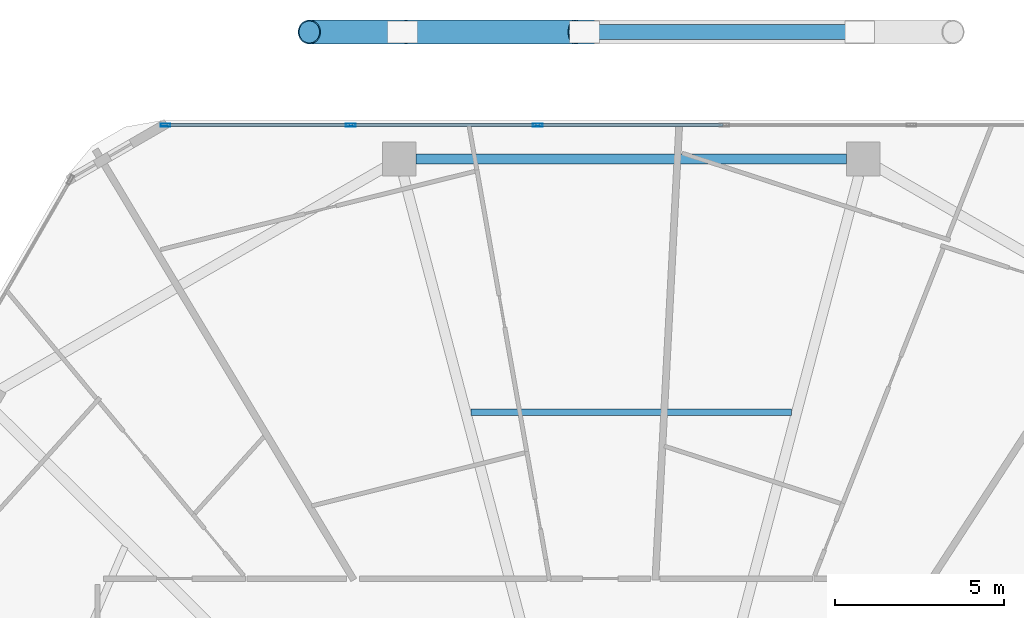
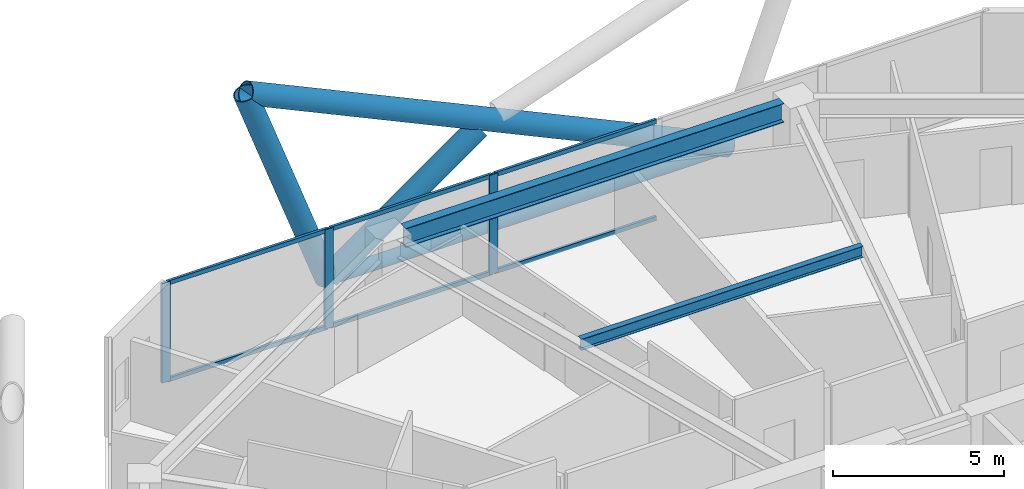
# One storey, part 14 of 28: 13 members, 2 beams, 1 element without a shape of its own.
"""IFC4 building model written with IfcOpenShell, lengths in metres."""

import ifcopenshell
import ifcopenshell.guid

model = None  # the IFC model being written
_history = None  # IfcOwnerHistory: only IFC2X3 demands one
_inside = {}  # id of a spatial element -> (the spatial element, [elements in it])
_under = {}  # id of a project, library or spatial element -> (it, [spatial elements below it])
_declared = {}  # id of a project -> (the project, [libraries it declares])
_typed = {}  # id of a type object -> (the type object, [elements of that type])
_made_of = {}  # id of a material, layer set ... -> (it, [elements and type objects made of it])


def new_model(schema):
    """Start an empty IFC model of exactly this schema.

    Asked for "IFC4X3", IfcOpenShell would pick the latest addendum, in which some entities
    have other attributes; the version numbers below select the first issue.
    IFC2X3 requires an IfcOwnerHistory on every rooted entity: one is made here for all.
    """
    global model, _history
    if schema == "IFC4X3":
        model = ifcopenshell.file(schema_version=(4, 3, 0, 0))
    else:
        model = ifcopenshell.file(schema=schema)
    _inside.clear()
    _under.clear()
    _declared.clear()
    _typed.clear()
    _made_of.clear()
    _history = None
    if model.schema == "IFC2X3":
        org = make("IfcOrganization", Name="unknown")
        user = make(
            "IfcPersonAndOrganization",
            ThePerson=make("IfcPerson", FamilyName="unknown"),
            TheOrganization=org,
        )
        app = make(
            "IfcApplication",
            ApplicationDeveloper=org,
            Version="unknown",
            ApplicationFullName="unknown",
            ApplicationIdentifier="unknown",
        )
        _history = make(
            "IfcOwnerHistory",
            OwningUser=user,
            OwningApplication=app,
            ChangeAction="ADDED",
            CreationDate=0,
        )
    return model


def make(cls, **values):
    """One entity of the class cls with the attributes given. An attribute that is None is left unset."""
    return model.create_entity(
        cls, **{name: value for name, value in values.items() if value is not None}
    )


def rooted(cls, **values):
    """An entity with a GlobalId (a new one), such as an element, a storey or a relation."""
    return make(cls, GlobalId=ifcopenshell.guid.new(), OwnerHistory=_history, **values)


def si_unit(unit_type, name, prefix=None):
    """IfcSIUnit, for example si_unit("LENGTHUNIT", "METRE", prefix="MILLI")."""
    return make("IfcSIUnit", UnitType=unit_type, Prefix=prefix, Name=name)


def assignment(units):
    """IfcUnitAssignment: the units of a project."""
    return None if units is None else make("IfcUnitAssignment", Units=units)


def point(xyz):
    """IfcCartesianPoint."""
    return None if xyz is None else make("IfcCartesianPoint", Coordinates=xyz)


def direction(xyz):
    """IfcDirection."""
    return None if xyz is None else make("IfcDirection", DirectionRatios=xyz)


def frame(location, z_axis=None, x_axis=None):
    """IfcAxis2Placement3D, a coordinate frame: its origin and axes. An axis left out is left unset."""
    return make(
        "IfcAxis2Placement3D",
        Location=point(location),
        Axis=direction(z_axis),
        RefDirection=direction(x_axis),
    )


def frame_2d(location, x_axis=None):
    """IfcAxis2Placement2D, a coordinate frame in the plane: its origin and x axis."""
    return make(
        "IfcAxis2Placement2D", Location=point(location), RefDirection=direction(x_axis)
    )


def origin():
    """The frame at (0, 0, 0) with its axes left unset."""
    return frame((0.0, 0.0, 0.0))


def origin_2d():
    """The frame at (0, 0) in the plane with its x axis left unset."""
    return frame_2d((0.0, 0.0))


def place(relative_to, where):
    """IfcLocalPlacement: puts the frame where relative to a parent placement (None: the world)."""
    return make(
        "IfcLocalPlacement", PlacementRelTo=relative_to, RelativePlacement=where
    )


def context(
    kind, dimensions, precision=None, world=None, true_north=None, identifier=None
):
    """IfcGeometricRepresentationContext, for example the 3D "Model" context."""
    return make(
        "IfcGeometricRepresentationContext",
        ContextIdentifier=identifier,
        ContextType=kind,
        CoordinateSpaceDimension=dimensions,
        Precision=precision,
        WorldCoordinateSystem=world,
        TrueNorth=true_north,
    )


def subcontext(parent, identifier, kind, view, scale=None):
    """IfcGeometricRepresentationSubContext, for example "Body" below "Model"."""
    return make(
        "IfcGeometricRepresentationSubContext",
        ContextIdentifier=identifier,
        ContextType=kind,
        ParentContext=parent,
        TargetScale=scale,
        TargetView=view,
    )


def project(units=None, contexts=None):
    """IfcProject with its units and contexts."""
    return rooted(
        "IfcProject",
        Name="project",
        RepresentationContexts=contexts,
        UnitsInContext=assignment(units),
    )


def spatial(cls, under=None, at=None, **own):
    """A site, building, storey or space (cls), placed at a placement, below another one or the project."""
    s = rooted(cls, ObjectPlacement=at, **own)
    if under is not None:
        _under.setdefault(under.id(), (under, []))[1].append(s)
    return s


def profile(cls, at=None, kind="AREA", **sizes):
    """A parametric profile (cls). Its sizes go by their IFC names, for example OverallWidth=200.0."""
    return make(cls, ProfileType=kind, Position=at, **sizes)


def hollow_rectangle(**sizes):
    """IfcRectangleHollowProfileDef."""
    return profile("IfcRectangleHollowProfileDef", **sizes)


def hollow_circle(**sizes):
    """IfcCircleHollowProfileDef."""
    return profile("IfcCircleHollowProfileDef", **sizes)


def i_section(**sizes):
    """IfcIShapeProfileDef."""
    return profile("IfcIShapeProfileDef", **sizes)


def extrude(swept, where, along, depth):
    """IfcExtrudedAreaSolid: the profile swept, set in the frame where, extruded along a direction by depth."""
    return make(
        "IfcExtrudedAreaSolid",
        SweptArea=swept,
        Position=where,
        ExtrudedDirection=direction(along),
        Depth=depth,
    )


def shape(context_of_items, identifier, shape_type, items):
    """IfcShapeRepresentation: the items that make up one representation, for example the "Body"."""
    return make(
        "IfcShapeRepresentation",
        ContextOfItems=context_of_items,
        RepresentationIdentifier=identifier,
        RepresentationType=shape_type,
        Items=items,
    )


def material(Name=None, Category=None):
    """IfcMaterial."""
    return make("IfcMaterial", Name=Name, Category=Category)


def material_profile(
    of_material, cross_section, Name=None, Category=None, Priority=None
):
    """IfcMaterialProfile: a cross section and its material."""
    return make(
        "IfcMaterialProfile",
        Name=Name,
        Material=of_material,
        Profile=cross_section,
        Priority=Priority,
        Category=Category,
    )


def profile_set(profiles, Name=None, composite=None):
    """IfcMaterialProfileSet."""
    return make(
        "IfcMaterialProfileSet",
        Name=Name,
        MaterialProfiles=profiles,
        CompositeProfile=composite,
    )


def made_of(thing, what):
    """Note that an element or type object is made of a material, layer set ...; save() writes the relation."""
    if what is not None:
        _made_of.setdefault(what.id(), (what, []))[1].append(thing)
    return thing


def type_object(cls, material=None, **own):
    """A type object (cls), such as IfcWallType, which elements share."""
    return made_of(rooted(cls, **own), material)


def element(
    cls,
    number,
    at=None,
    inside=None,
    cuts=None,
    type_object=None,
    material=None,
    context=None,
    identifier="Body",
    shape_type=None,
    held_by="IfcProductDefinitionShape",
    body=None,
    shapes=None,
    **own,
):
    """One element of the class cls, such as IfcWall. Its Tag is "e" and its number.

    at: its placement. inside: the storey or other place that contains it. cuts: it is an
    opening in that element (IfcRelVoidsElement). A single representation is given by context,
    identifier, shape_type and body (its items); several are given by shapes. held_by: the class
    of the entity that holds the representations. save() writes the other relations.
    """
    e = rooted(cls, Tag="e%d" % number, ObjectPlacement=at, **own)
    if body is not None:
        shapes = [shape(context, identifier, shape_type, body)]
    if shapes is not None:
        e.Representation = make(held_by, Representations=shapes)
    if inside is not None:
        _inside.setdefault(inside.id(), (inside, []))[1].append(e)
    if cuts is not None:
        rooted(
            "IfcRelVoidsElement", RelatingBuildingElement=cuts, RelatedOpeningElement=e
        )
    if type_object is not None:
        _typed.setdefault(type_object.id(), (type_object, []))[1].append(e)
    return made_of(e, material)


def aggregate(whole, parts):
    """IfcRelAggregates: a whole, such as a stair, and the parts it consists of."""
    return rooted("IfcRelAggregates", RelatingObject=whole, RelatedObjects=parts)


def save(model, path):
    """Write the relations noted so far, then the file.

    IfcRelAggregates (storeys below a building ...), IfcRelContainedInSpatialStructure (elements
    in a storey), IfcRelDefinesByType, IfcRelAssociatesMaterial and IfcRelDeclares: one each for
    every whole, place, type object, material and project.
    """
    for whole, parts in _under.values():
        aggregate(whole, parts)
    for where, things in _inside.values():
        rooted(
            "IfcRelContainedInSpatialStructure",
            RelatedElements=things,
            RelatingStructure=where,
        )
    for kind, things in _typed.values():
        rooted("IfcRelDefinesByType", RelatedObjects=things, RelatingType=kind)
    for what, things in _made_of.values():
        rooted("IfcRelAssociatesMaterial", RelatedObjects=things, RelatingMaterial=what)
    for by, libraries in _declared.values():
        rooted("IfcRelDeclares", RelatingContext=by, RelatedDefinitions=libraries)
    model.write(path)


model = new_model("IFC4")

# Units and contexts
model_context = context("Model", 3, precision=1e-05, world=origin(), true_north=direction((0.0, 1.0)))
body_context = subcontext(model_context, "Body", "Model", "MODEL_VIEW")
ifc_project = project(units=[si_unit("LENGTHUNIT", "METRE"), si_unit("AREAUNIT", "SQUARE_METRE"), si_unit("VOLUMEUNIT", "CUBIC_METRE"), si_unit("PLANEANGLEUNIT", "RADIAN"), si_unit("MASSUNIT", "GRAM", prefix="KILO")], contexts=[model_context])

# Site, building, storey
site_placement = place(None, origin())
site = spatial("IfcSite", under=ifc_project, at=site_placement, CompositionType="ELEMENT")
building_placement = place(site_placement, origin())
building = spatial("IfcBuilding", under=site, at=building_placement, Name="Zuhravey Tower", CompositionType="ELEMENT")
storey_placement = place(building_placement, frame((0.0, 0.0, 169.39990234375)))
storey = spatial("IfcBuildingStorey", under=building, at=storey_placement, Name="L42", CompositionType="ELEMENT", Elevation=169.39990234375)

# Curtain wall, members
ifc_material_1 = material(Name="Thermally broken anodised aluminium", Category="aluminium")
curtain_wall_type = type_object("IfcCurtainWallType", Name="Zone 1-2 Residential Curtain Wall CW3", PredefinedType="NOTDEFINED", material=ifc_material_1)
curtain_wall_placement = place(storey_placement, origin())
curtain_wall = element("IfcCurtainWall", 1, at=curtain_wall_placement, inside=storey, type_object=curtain_wall_type, Name="L42 CW3 CW-L42-F2-1", PredefinedType="NOTDEFINED")
ifc_material_2 = material(Name="Anodised aluminium", Category="aluminium")
ifc_material_profile_1 = material_profile(ifc_material_2, hollow_rectangle(XDim=0.090087890625, YDim=0.284912109375, WallThickness=0.0048828125, at=origin_2d()), Name="ALU-RHS-90x285x5")
ifc_profile_set_1 = profile_set([ifc_material_profile_1], Name="Anodised aluminium")
member_type_1 = type_object("IfcMemberType", Name="Curtain-Wall Mullion 90x180", PredefinedType="MULLION", material=ifc_profile_set_1)
member_1_placement = place(storey_placement, frame((22.183837890625, 59.18310546875, 0.0), z_axis=(0.0, 0.0, 1.0), x_axis=(0.0, 1.0, 0.0)))
member_1 = element("IfcMember", 2, at=member_1_placement, type_object=member_type_1, Name="CW3 mullion 1", PredefinedType="MULLION", context=body_context, shape_type="SweptSolid", body=[
    extrude(hollow_rectangle(XDim=0.090087890625, YDim=0.284912109375, WallThickness=0.0048828125, at=origin_2d()), origin(), (0.0, 0.0, 1.0), 3.550048828125),
])
member_2_placement = place(storey_placement, frame((27.683349609375, 59.18310546875, 0.0), z_axis=(0.0, 0.0, 1.0), x_axis=(0.0, 1.0, 0.0)))
member_2 = element("IfcMember", 3, at=member_2_placement, type_object=member_type_1, Name="CW3 mullion 2", PredefinedType="MULLION", context=body_context, shape_type="SweptSolid", body=[
    extrude(hollow_rectangle(XDim=0.090087890625, YDim=0.284912109375, WallThickness=0.0048828125, at=origin_2d()), origin(), (0.0, 0.0, 1.0), 3.550048828125),
])
member_3_placement = place(storey_placement, frame((33.227783203125, 59.18310546875, 0.0), z_axis=(0.0, 0.0, 1.0), x_axis=(0.0, 1.0, 0.0)))
member_3 = element("IfcMember", 4, at=member_3_placement, type_object=member_type_1, Name="CW3 mullion 3", PredefinedType="MULLION", context=body_context, shape_type="SweptSolid", body=[
    extrude(hollow_rectangle(XDim=0.090087890625, YDim=0.284912109375, WallThickness=0.0048828125, at=origin_2d()), origin(), (0.0, 0.0, 1.0), 3.550048828125),
])
ifc_material_profile_2 = material_profile(ifc_material_2, hollow_rectangle(XDim=0.090087890625, YDim=0.14990234375, WallThickness=0.0048828125, at=origin_2d()), Name="ALU-RHS-90x150x5")
ifc_profile_set_2 = profile_set([ifc_material_profile_2], Name="Anodised aluminium")
member_type_2 = type_object("IfcMemberType", Name="Curtain-Wall Transom 90x150", PredefinedType="USERDEFINED", material=ifc_profile_set_2)
member_4_placement = place(storey_placement, frame((22.22900390625, 59.18310546875, 0.045166015625), z_axis=(1.0, 0.0, 0.0), x_axis=(0.0, 1.0, 0.0)))
member_4 = element("IfcMember", 5, at=member_4_placement, type_object=member_type_2, Name="CW3 transom 1.1", ObjectType="TRANSOM", PredefinedType="USERDEFINED", context=body_context, shape_type="SweptSolid", body=[
    extrude(hollow_rectangle(XDim=0.090087890625, YDim=0.14990234375, WallThickness=0.0048828125, at=origin_2d()), origin(), (0.0, 0.0, 1.0), 5.409423828125),
])
member_5_placement = place(storey_placement, frame((22.22900390625, 59.18310546875, 3.505126953125), z_axis=(1.0, 0.0, 0.0), x_axis=(0.0, 1.0, 0.0)))
member_5 = element("IfcMember", 6, at=member_5_placement, type_object=member_type_2, Name="CW3 transom 1.2", ObjectType="TRANSOM", PredefinedType="USERDEFINED", context=body_context, shape_type="SweptSolid", body=[
    extrude(hollow_rectangle(XDim=0.090087890625, YDim=0.14990234375, WallThickness=0.0048828125, at=origin_2d()), origin(), (0.0, 0.0, 1.0), 5.409423828125),
])
member_6_placement = place(storey_placement, frame((27.728271484375, 59.18310546875, 0.045166015625), z_axis=(1.0, 0.0, 0.0), x_axis=(0.0, 1.0, 0.0)))
member_6 = element("IfcMember", 7, at=member_6_placement, type_object=member_type_2, Name="CW3 transom 2.1", ObjectType="TRANSOM", PredefinedType="USERDEFINED", context=body_context, shape_type="SweptSolid", body=[
    extrude(hollow_rectangle(XDim=0.090087890625, YDim=0.14990234375, WallThickness=0.0048828125, at=origin_2d()), origin(), (0.0, 0.0, 1.0), 5.45458984375),
])
member_7_placement = place(storey_placement, frame((27.728271484375, 59.18310546875, 3.505126953125), z_axis=(1.0, 0.0, 0.0), x_axis=(0.0, 1.0, 0.0)))
member_7 = element("IfcMember", 8, at=member_7_placement, type_object=member_type_2, Name="CW3 transom 2.2", ObjectType="TRANSOM", PredefinedType="USERDEFINED", context=body_context, shape_type="SweptSolid", body=[
    extrude(hollow_rectangle(XDim=0.090087890625, YDim=0.14990234375, WallThickness=0.0048828125, at=origin_2d()), origin(), (0.0, 0.0, 1.0), 5.45458984375),
])
member_8_placement = place(storey_placement, frame((33.272705078125, 59.18310546875, 0.045166015625), z_axis=(1.0, 0.0, 0.0), x_axis=(0.0, 1.0, 0.0)))
member_8 = element("IfcMember", 9, at=member_8_placement, type_object=member_type_2, Name="CW3 transom 3.1", ObjectType="TRANSOM", PredefinedType="USERDEFINED", context=body_context, shape_type="SweptSolid", body=[
    extrude(hollow_rectangle(XDim=0.090087890625, YDim=0.14990234375, WallThickness=0.0048828125, at=origin_2d()), origin(), (0.0, 0.0, 1.0), 5.45458984375),
])
member_9_placement = place(storey_placement, frame((33.272705078125, 59.18310546875, 3.505126953125), z_axis=(1.0, 0.0, 0.0), x_axis=(0.0, 1.0, 0.0)))
member_9 = element("IfcMember", 10, at=member_9_placement, type_object=member_type_2, Name="CW3 transom 3.2", ObjectType="TRANSOM", PredefinedType="USERDEFINED", context=body_context, shape_type="SweptSolid", body=[
    extrude(hollow_rectangle(XDim=0.090087890625, YDim=0.14990234375, WallThickness=0.0048828125, at=origin_2d()), origin(), (0.0, 0.0, 1.0), 5.45458984375),
])
aggregate(curtain_wall, [member_1, member_2, member_3, member_4, member_5, member_6, member_7, member_8, member_9])

# Members
ifc_material_3 = material(Name="Steel SM355", Category="steel")
ifc_material_profile_3 = material_profile(ifc_material_3, hollow_circle(Radius=0.228515625, WallThickness=0.02197265625, at=origin_2d()), Name="CHS-457.2x22")
ifc_profile_set_3 = profile_set([ifc_material_profile_3], Name="Steel SM355")
member_type_3 = type_object("IfcMemberType", Name="Exoskeleton Ring Tie CHS457x22", PredefinedType="CHORD", material=ifc_profile_set_3)
member_10_placement = place(storey_placement, frame((42.64111328125, 61.943115234375, -0.4638671875), z_axis=(-1.0, 0.0, 0.0), x_axis=(0.0, -1.0, 0.0)))
element("IfcMember", 11, at=member_10_placement, inside=storey, type_object=member_type_3, Name="L42 Exoskeleton Face 2 Tie EXR1", PredefinedType="CHORD", context=body_context, shape_type="SweptSolid", body=[
    extrude(hollow_circle(Radius=0.228515625, WallThickness=0.02197265625, at=origin_2d()), origin(), (0.0, 0.0, 1.0), 13.2822265625),
])
ifc_material_4 = material(Name="Steel SM460", Category="steel")
ifc_material_profile_4 = material_profile(ifc_material_4, hollow_circle(Radius=0.355712890625, WallThickness=0.031982421875, at=origin_2d()), Name="CHS-711.2x32")
ifc_profile_set_4 = profile_set([ifc_material_profile_4], Name="Steel SM460")
member_type_4 = type_object("IfcMemberType", Name="Exoskeleton Zone 2 Diagrid CHS711x32", PredefinedType="BRACE", material=ifc_profile_set_4)
member_11_placement = place(storey_placement, frame((42.738037109375, 61.943115234375, -0.44384765625), z_axis=(-0.906680162882, 0.0, 0.421818778903), x_axis=(0.0, -1.0, 0.0)))
element("IfcMember", 12, at=member_11_placement, inside=storey, type_object=member_type_4, Name="L42 Face 2 Diagrid Brace 2", PredefinedType="BRACE", context=body_context, shape_type="SweptSolid", body=[
    extrude(hollow_circle(Radius=0.355712890625, WallThickness=0.031982421875, at=origin_2d()), origin(), (0.0, 0.0, 1.0), 17.922607421875),
])
member_12_placement = place(storey_placement, frame((29.211669921875, 61.943115234375, -0.44384765625), z_axis=(-0.342858392965, 0.0, 0.939387099323), x_axis=(0.0, -1.0, 0.0)))
element("IfcMember", 13, at=member_12_placement, inside=storey, type_object=member_type_4, Name="L42 Face 2 Diagrid Brace 4", PredefinedType="BRACE", context=body_context, shape_type="SweptSolid", body=[
    extrude(hollow_circle(Radius=0.355712890625, WallThickness=0.031982421875, at=origin_2d()), origin(), (0.0, 0.0, 1.0), 8.0478515625),
])
member_13_placement = place(storey_placement, frame((29.2578125, 61.943115234375, -0.4365234375), z_axis=(0.817501799386, 0.0, 0.575926043864), x_axis=(0.0, 1.0, 0.0)))
element("IfcMember", 14, at=member_13_placement, inside=storey, type_object=member_type_4, Name="L42 Face 2 Split Diagrid Brace 3A", PredefinedType="BRACE", context=body_context, shape_type="SweptSolid", body=[
    extrude(hollow_circle(Radius=0.355712890625, WallThickness=0.031982421875, at=origin_2d()), origin(), (0.0, 0.0, 1.0), 6.205078125),
])

# Beams
ifc_material_profile_5 = material_profile(ifc_material_3, i_section(OverallWidth=0.300048828125, OverallDepth=0.679931640625, WebThickness=0.012939453125, FlangeThickness=0.02197265625, at=origin_2d()), Name="H-680x300x13x22")
ifc_profile_set_5 = profile_set([ifc_material_profile_5], Name="Steel SM355")
beam_type_1 = type_object("IfcBeamType", Name="Perimeter Ring Beam H680x300", PredefinedType="BEAM", material=ifc_profile_set_5)
beam_1_placement = place(storey_placement, frame((42.37890625, 58.173095703125, 3.210205078125), z_axis=(-1.0, 0.0, 0.0), x_axis=(0.0, -1.0, 0.0)))
element("IfcBeam", 15, at=beam_1_placement, inside=storey, type_object=beam_type_1, Name="L42 PB2 BM-L42-PB-03", PredefinedType="BEAM", context=body_context, shape_type="SweptSolid", body=[
    extrude(i_section(OverallWidth=0.300048828125, OverallDepth=0.679931640625, WebThickness=0.012939453125, FlangeThickness=0.02197265625, at=origin_2d()), origin(), (0.0, 0.0, 1.0), 12.7578125),
])
ifc_material_profile_6 = material_profile(ifc_material_3, i_section(OverallWidth=0.199951171875, OverallDepth=0.39990234375, WebThickness=0.008056640625, FlangeThickness=0.012939453125, at=origin_2d()), Name="H-400x200x8x13")
ifc_profile_set_6 = profile_set([ifc_material_profile_6], Name="Steel SM355")
beam_type_2 = type_object("IfcBeamType", Name="Secondary Floor Joist H400x200", PredefinedType="JOIST", material=ifc_profile_set_6)
beam_2_placement = place(storey_placement, frame((40.754150390625, 50.665771484375, 3.35009765625), z_axis=(-1.0, 0.0, 0.0), x_axis=(0.0, -1.0, 0.0)))
element("IfcBeam", 16, at=beam_2_placement, inside=storey, type_object=beam_type_2, Name="L42 SJ2 BM-L42-SJ-03-1", PredefinedType="JOIST", context=body_context, shape_type="SweptSolid", body=[
    extrude(i_section(OverallWidth=0.199951171875, OverallDepth=0.39990234375, WebThickness=0.008056640625, FlangeThickness=0.012939453125, at=origin_2d()), origin(), (0.0, 0.0, 1.0), 9.50830078125),
])

save(model, "model.ifc")
